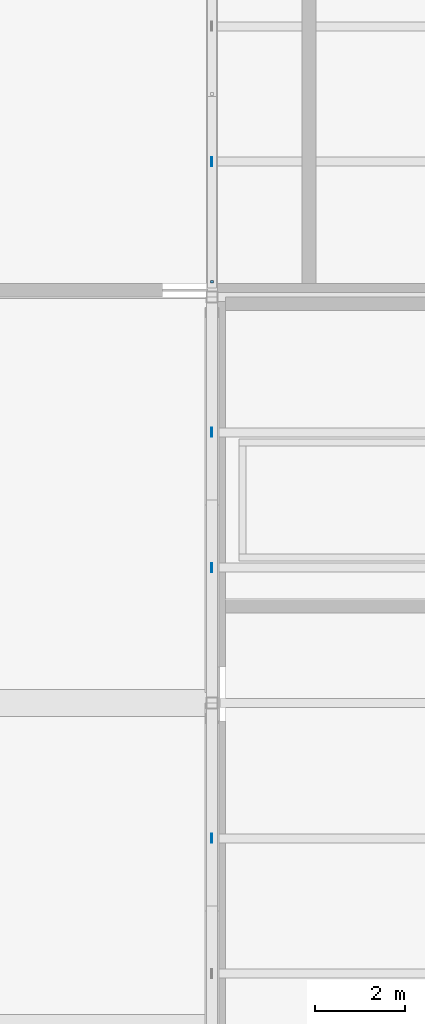
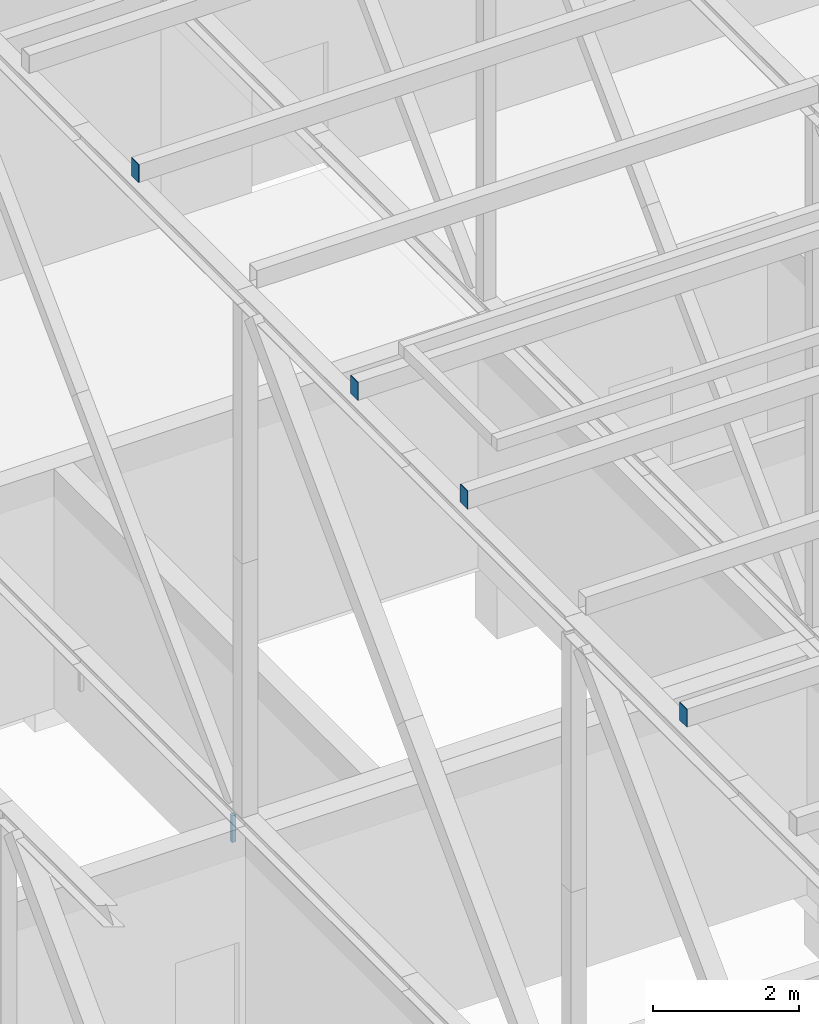
# One storey, part 223 of 646: 5 discrete accessories.
"""IFC4 building model written with IfcOpenShell, lengths in metres."""

from ifc_helpers import new_model, si_unit, direction, frame, origin, origin_2d, place, context, subcontext, project, spatial, rectangle, extrude, material, layer, layer_set, type_object, element, save


model = new_model("IFC4")

# Units and contexts
model_context = context("Model", 3, precision=1e-05, world=origin(), true_north=direction((0.0, 1.0)))
body_context = subcontext(model_context, "Body", "Model", "MODEL_VIEW")
ifc_project = project(units=[si_unit("LENGTHUNIT", "METRE"), si_unit("AREAUNIT", "SQUARE_METRE"), si_unit("VOLUMEUNIT", "CUBIC_METRE"), si_unit("PLANEANGLEUNIT", "RADIAN"), si_unit("MASSUNIT", "GRAM", prefix="KILO")], contexts=[model_context])

# Site, building, storey
site_placement = place(None, origin())
site = spatial("IfcSite", under=ifc_project, at=site_placement, CompositionType="ELEMENT")
building_placement = place(site_placement, origin())
building = spatial("IfcBuilding", under=site, at=building_placement, Name="Silverbay Arena", CompositionType="ELEMENT")
storey_placement = place(building_placement, frame((0.0, 0.0, 33.5)))
storey = spatial("IfcBuildingStorey", under=building, at=storey_placement, Name="L05", CompositionType="ELEMENT", Elevation=33.5)

# Discrete accessories
ifc_material_1 = material(Name="Steel S355", Category="steel")
discrete_accessory_type_1 = type_object("IfcDiscreteAccessoryType", Name="Ceiling hanger", PredefinedType="BRACKET", material=ifc_material_1)
discrete_accessory_placement = place(storey_placement, frame((180.0, 117.340087890625, 3.5498046875), z_axis=(0.0, 0.0, 1.0), x_axis=(1.0, 0.0, 0.0)))
element("IfcDiscreteAccessory", 1, at=discrete_accessory_placement, inside=storey, type_object=discrete_accessory_type_1, Name="Ceiling hanger", PredefinedType="BRACKET", context=body_context, shape_type="SweptSolid", body=[
    extrude(rectangle(XDim=0.06005859375, YDim=0.06005859375, at=origin_2d()), origin(), (0.0, 0.0, 1.0), 0.449951171875),
])
ifc_material_2 = material(Name="Steel S355", Category="steel")
ifc_layer = layer(ifc_material_2, 0.011962890625)
ifc_layer_set = layer_set([ifc_layer], Name="Steel S355")
discrete_accessory_type_2 = type_object("IfcDiscreteAccessoryType", Name="Purlin end plate 12", PredefinedType="USERDEFINED", material=ifc_layer_set)
for number, where, z_axis, x_axis, name in (
    (2, (180.0, 105.0, 13.14990234375), (-1.0, 0.0, 0.0), (0.0, -1.0, 0.0), "Purlin end plate"),
    (3, (180.0, 111.0, 13.14990234375), (-1.0, 0.0, 0.0), (0.0, -1.0, 0.0), "Purlin end plate"),
    (4, (180.0, 114.0, 13.14990234375), (-1.0, 0.0, 0.0), (0.0, -1.0, 0.0), "Purlin end plate"),
    (5, (180.0, 120.0, 13.14990234375), (-1.0, 0.0, 0.0), (0.0, -1.0, 0.0), "Purlin end plate"),
):
    element("IfcDiscreteAccessory", number, at=place(storey_placement, frame(where, z_axis=z_axis, x_axis=x_axis)), inside=storey, type_object=discrete_accessory_type_2, Name=name, ObjectType="END PLATE", PredefinedType="USERDEFINED", context=body_context, shape_type="SweptSolid", body=[
        extrude(rectangle(XDim=0.199951171875, YDim=0.300048828125, at=origin_2d()), origin(), (0.0, 0.0, 1.0), 0.011962890625),
    ])

save(model, "model.ifc")
